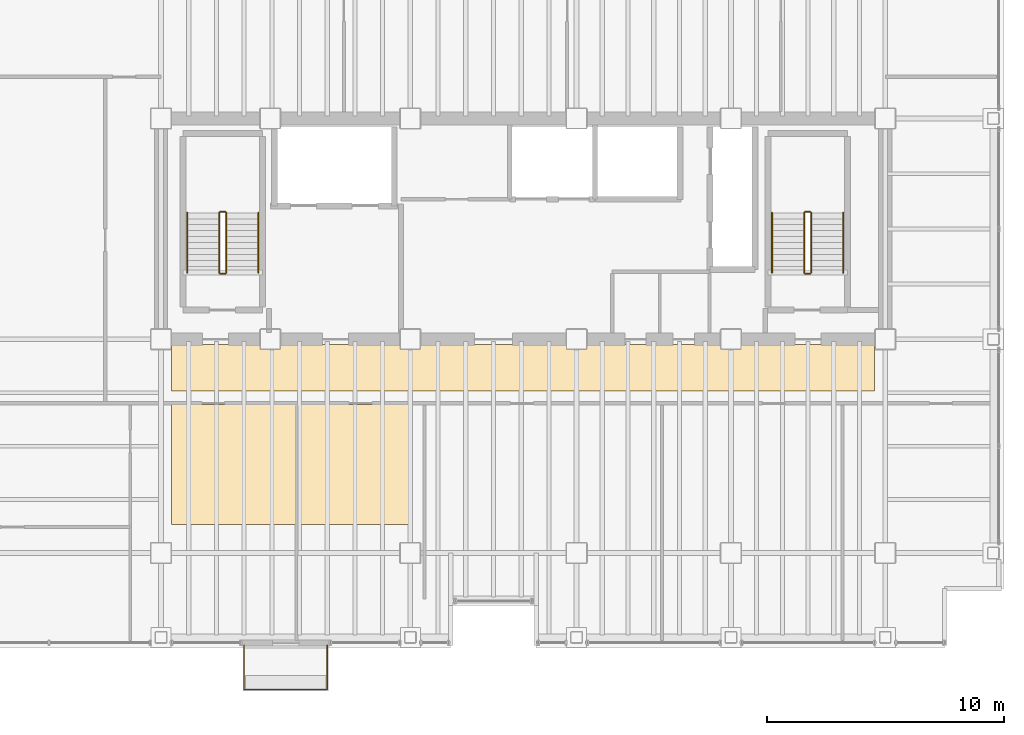
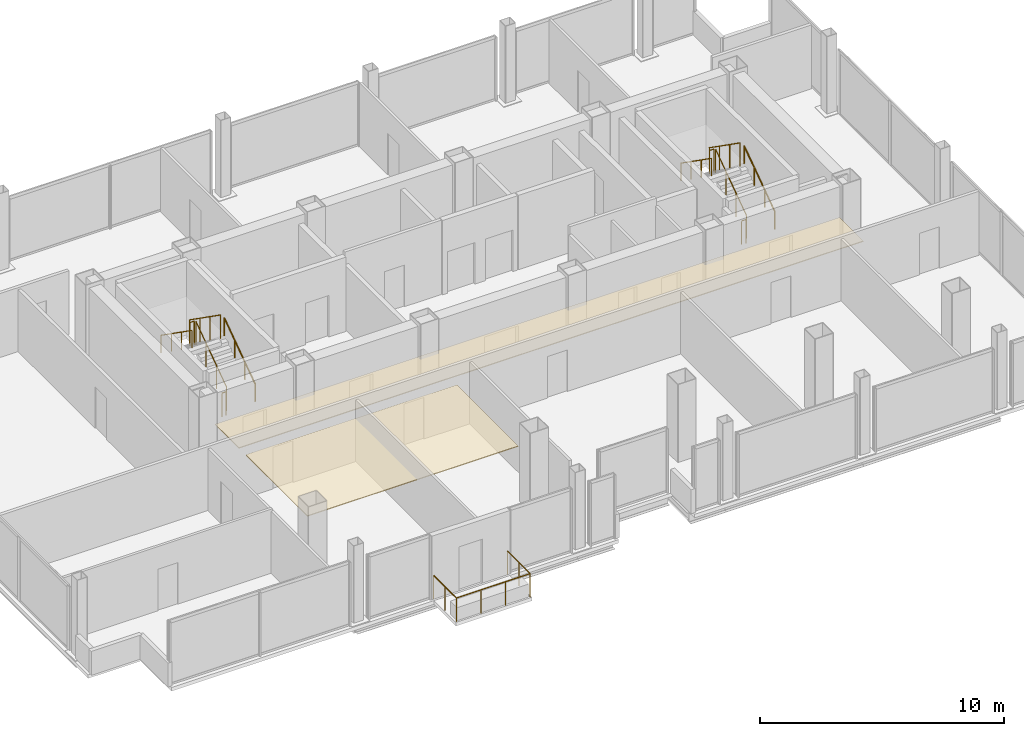
# One storey, part 18 of 18: 13 railings, 2 coverings.
"""IFC4 building model written with IfcOpenShell, lengths in metres."""

from ifc_helpers import new_model, si_unit, direction, frame, origin, origin_2d, place, context, subcontext, project, spatial, polyline, circle, outline, extrude, material, layer, layer_set, type_object, element, save


model = new_model("IFC4")

# Units and contexts
model_context = context("Model", 3, precision=1e-05, world=origin(), true_north=direction((0.0, 1.0)))
body_context = subcontext(model_context, "Body", "Model", "MODEL_VIEW")
ifc_project = project(units=[si_unit("LENGTHUNIT", "METRE"), si_unit("AREAUNIT", "SQUARE_METRE"), si_unit("VOLUMEUNIT", "CUBIC_METRE"), si_unit("PLANEANGLEUNIT", "RADIAN"), si_unit("MASSUNIT", "GRAM", prefix="KILO")], contexts=[model_context])

# Site, building, storey
site_placement = place(None, origin())
site = spatial("IfcSite", under=ifc_project, at=site_placement, CompositionType="ELEMENT")
building_placement = place(site_placement, origin())
building = spatial("IfcBuilding", under=site, at=building_placement, Name="Noeulbin Bourse Tower", CompositionType="ELEMENT")
storey_placement = place(building_placement, frame((0.0, 0.0, 161.699951171875)))
storey = spatial("IfcBuildingStorey", under=building, at=storey_placement, Name="L40", CompositionType="ELEMENT", Elevation=161.699951171875)

# Coverings
ifc_material_1 = material(Name="Perforated Mineral-Fibre Acoustic Tile")
ifc_layer_1 = layer(ifc_material_1, 0.0400390625)
ifc_layer_set_1 = layer_set([ifc_layer_1], Name="Perforated Mineral-Fibre Acoustic Tile")
covering_type = type_object("IfcCoveringType", Name="COV-CEIL-ACT", PredefinedType="CEILING", material=ifc_layer_set_1)
covering_1_placement = place(storey_placement, frame((0.0, 0.0, 2.110107421875)))
element("IfcCovering", 1, at=covering_1_placement, inside=storey, type_object=covering_type, Name="Corridor Suspended Ceiling L40", PredefinedType="CEILING", context=body_context, shape_type="SweptSolid", body=[
    extrude(outline(polyline([(13.949951171875, 26.820068359375), (43.550048828125, 26.820068359375), (43.550048828125, 28.780029296875), (13.949951171875, 28.780029296875), (13.949951171875, 26.820068359375)])), origin(), (0.0, 0.0, 1.0), 0.0400390625),
])
covering_2_placement = place(storey_placement, frame((0.0, 0.0, 2.110107421875)))
element("IfcCovering", 2, at=covering_2_placement, inside=storey, type_object=covering_type, Name="Trading Suite Acoustic Ceiling L40", PredefinedType="CEILING", context=body_context, shape_type="SweptSolid", body=[
    extrude(outline(polyline([(13.949951171875, 21.199951171875), (23.949951171875, 21.199951171875), (23.949951171875, 26.25), (13.949951171875, 26.25), (13.949951171875, 21.199951171875)])), origin(), (0.0, 0.0, 1.0), 0.0400390625),
])

# Railings
ifc_material_2 = material(Name="Laminated SentryGlas and Stainless Steel 316", Category="steel")
ifc_layer_2 = layer(ifc_material_2, 0.06005859375)
ifc_layer_set_2 = layer_set([ifc_layer_2], Name="Laminated SentryGlas and Stainless Steel 316")
railing_type_1 = type_object("IfcRailingType", Name="RLG-BAL-1200", PredefinedType="BALUSTRADE", material=ifc_layer_set_2)
railing_1_placement = place(storey_placement, frame((17.0, 16.1201171875, 0.0)))
element("IfcRailing", 3, at=railing_1_placement, inside=storey, type_object=railing_type_1, Name="Tree-Balcony Glazed Balustrade L40", PredefinedType="BALUSTRADE", context=body_context, shape_type="SweptSolid", body=[
    extrude(circle(Radius=0.02392578125, at=origin_2d()), frame((0.0, 0.0, 1.17578125), z_axis=(0.0, -1.0, 0.0), x_axis=(1.0, 0.0, 0.0)), (0.0, 0.0, 1.0), 1.8701171875),
    extrude(circle(Radius=0.02392578125, at=origin_2d()), frame((0.0, -1.8701171875, 1.17578125), z_axis=(1.0, 0.0, 0.0), x_axis=(0.0, 1.0, 0.0)), (0.0, 0.0, 1.0), 3.5),
    extrude(circle(Radius=0.02392578125, at=origin_2d()), frame((3.5, -1.8701171875, 1.17578125), z_axis=(0.0, 1.0, 0.0), x_axis=(-1.0, 0.0, 0.0)), (0.0, 0.0, 1.0), 1.8701171875),
    extrude(circle(Radius=0.02099609375, at=origin_2d()), origin(), (0.0, 0.0, 1.0), 1.15185546875),
    extrude(circle(Radius=0.02099609375, at=origin_2d()), frame((0.0, -0.93505859375, 0.0)), (0.0, 0.0, 1.0), 1.15185546875),
    extrude(circle(Radius=0.02099609375, at=origin_2d()), frame((0.0, -1.8701171875, 0.0)), (0.0, 0.0, 1.0), 1.15185546875),
    extrude(circle(Radius=0.02099609375, at=origin_2d()), frame((1.166748046875, -1.8701171875, 0.0)), (0.0, 0.0, 1.0), 1.15185546875),
    extrude(circle(Radius=0.02099609375, at=origin_2d()), frame((2.333251953125, -1.8701171875, 0.0)), (0.0, 0.0, 1.0), 1.15185546875),
    extrude(circle(Radius=0.02099609375, at=origin_2d()), frame((3.5, -1.8701171875, 0.0)), (0.0, 0.0, 1.0), 1.15185546875),
    extrude(circle(Radius=0.02099609375, at=origin_2d()), frame((3.5, -0.93505859375, 0.0)), (0.0, 0.0, 1.0), 1.15185546875),
    extrude(circle(Radius=0.02099609375, at=origin_2d()), frame((3.5, 0.0, 0.0)), (0.0, 0.0, 1.0), 1.15185546875),
])
ifc_material_3 = material(Name="Painted Tubular Steel S355", Category="steel")
ifc_layer_3 = layer(ifc_material_3, 0.048095703125)
ifc_layer_set_3 = layer_set([ifc_layer_3], Name="Painted Tubular Steel S355")
railing_type_2 = type_object("IfcRailingType", Name="RLG-STR-GRD", PredefinedType="GUARDRAIL", material=ifc_layer_set_3)
railing_2_placement = place(storey_placement, frame((16.25, 31.81005859375, 0.17724609375)))
element("IfcRailing", 4, at=railing_2_placement, inside=storey, type_object=railing_type_2, Name="L40 ST-1 stair guard 1", PredefinedType="GUARDRAIL", context=body_context, shape_type="SweptSolid", body=[
    extrude(circle(Radius=0.02392578125, at=origin_2d()), frame((0.0, 0.0, 1.17578125), z_axis=(0.0, 0.817904474719, 0.575354039036), x_axis=(-1.0, 0.0, 0.0)), (0.0, 0.0, 1.0), 3.0810546875),
    extrude(circle(Radius=0.02099609375, at=origin_2d()), origin(), (0.0, 0.0, 1.0), 1.15185546875),
    extrude(circle(Radius=0.02099609375, at=origin_2d()), frame((0.0, 0.840087890625, 0.5908203125)), (0.0, 0.0, 1.0), 1.15185546875),
    extrude(circle(Radius=0.02099609375, at=origin_2d()), frame((0.0, 1.679931640625, 1.181884765625)), (0.0, 0.0, 1.0), 1.15185546875),
    extrude(circle(Radius=0.02099609375, at=origin_2d()), frame((0.0, 2.52001953125, 1.772705078125)), (0.0, 0.0, 1.0), 1.15185546875),
])
railing_3_placement = place(storey_placement, frame((16.199951171875, 34.3798828125, 1.949951171875)))
element("IfcRailing", 5, at=railing_3_placement, inside=storey, type_object=railing_type_2, Name="L40 ST-1 stair guard 2", PredefinedType="GUARDRAIL", context=body_context, shape_type="SweptSolid", body=[
    extrude(circle(Radius=0.02392578125, at=origin_2d()), frame((0.0, 0.0, 1.17578125), z_axis=(-1.0, 0.0, 0.0), x_axis=(0.0, -1.0, 0.0)), (0.0, 0.0, 1.0), 0.199951171875),
    extrude(circle(Radius=0.02099609375, at=origin_2d()), origin(), (0.0, 0.0, 1.0), 1.15185546875),
    extrude(circle(Radius=0.02099609375, at=origin_2d()), frame((-0.199951171875, 0.0, 0.0)), (0.0, 0.0, 1.0), 1.15185546875),
])
railing_4_placement = place(storey_placement, frame((15.949951171875, 34.330078125, 2.12744140625)))
element("IfcRailing", 6, at=railing_4_placement, inside=storey, type_object=railing_type_2, Name="L40 ST-1 stair guard 3", PredefinedType="GUARDRAIL", context=body_context, shape_type="SweptSolid", body=[
    extrude(circle(Radius=0.02392578125, at=origin_2d()), frame((0.0, 0.0, 1.17578125), z_axis=(0.0, -0.817904474719, 0.575354039036), x_axis=(1.0, 0.0, 0.0)), (0.0, 0.0, 1.0), 3.0810546875),
    extrude(circle(Radius=0.02099609375, at=origin_2d()), origin(), (0.0, 0.0, 1.0), 1.15185546875),
    extrude(circle(Radius=0.02099609375, at=origin_2d()), frame((0.0, -0.840087890625, 0.5908203125)), (0.0, 0.0, 1.0), 1.15185546875),
    extrude(circle(Radius=0.02099609375, at=origin_2d()), frame((0.0, -1.679931640625, 1.181884765625)), (0.0, 0.0, 1.0), 1.15185546875),
    extrude(circle(Radius=0.02099609375, at=origin_2d()), frame((0.0, -2.52001953125, 1.772705078125)), (0.0, 0.0, 1.0), 1.15185546875),
])
railing_5_placement = place(storey_placement, frame((16.199951171875, 31.760009765625, 0.0)))
element("IfcRailing", 7, at=railing_5_placement, inside=storey, type_object=railing_type_2, Name="L40 ST-1 stair guard 4", PredefinedType="GUARDRAIL", context=body_context, shape_type="SweptSolid", body=[
    extrude(circle(Radius=0.02392578125, at=origin_2d()), frame((0.0, 0.0, 1.17578125), z_axis=(-1.0, 0.0, 0.0), x_axis=(0.0, -1.0, 0.0)), (0.0, 0.0, 1.0), 0.199951171875),
    extrude(circle(Radius=0.02099609375, at=origin_2d()), origin(), (0.0, 0.0, 1.0), 1.15185546875),
    extrude(circle(Radius=0.02099609375, at=origin_2d()), frame((-0.199951171875, 0.0, 0.0)), (0.0, 0.0, 1.0), 1.15185546875),
])
railing_6_placement = place(storey_placement, frame((40.8798828125, 31.81005859375, 0.17724609375)))
element("IfcRailing", 8, at=railing_6_placement, inside=storey, type_object=railing_type_2, Name="L40 ST-2 stair guard 1", PredefinedType="GUARDRAIL", context=body_context, shape_type="SweptSolid", body=[
    extrude(circle(Radius=0.02392578125, at=origin_2d()), frame((0.0, 0.0, 1.17578125), z_axis=(0.0, 0.817904474719, 0.575354039036), x_axis=(-1.0, 0.0, 0.0)), (0.0, 0.0, 1.0), 3.0810546875),
    extrude(circle(Radius=0.02099609375, at=origin_2d()), origin(), (0.0, 0.0, 1.0), 1.15185546875),
    extrude(circle(Radius=0.02099609375, at=origin_2d()), frame((0.0, 0.840087890625, 0.5908203125)), (0.0, 0.0, 1.0), 1.15185546875),
    extrude(circle(Radius=0.02099609375, at=origin_2d()), frame((0.0, 1.679931640625, 1.181884765625)), (0.0, 0.0, 1.0), 1.15185546875),
    extrude(circle(Radius=0.02099609375, at=origin_2d()), frame((0.0, 2.52001953125, 1.772705078125)), (0.0, 0.0, 1.0), 1.15185546875),
])
railing_7_placement = place(storey_placement, frame((40.830078125, 34.3798828125, 1.949951171875)))
element("IfcRailing", 9, at=railing_7_placement, inside=storey, type_object=railing_type_2, Name="L40 ST-2 stair guard 2", PredefinedType="GUARDRAIL", context=body_context, shape_type="SweptSolid", body=[
    extrude(circle(Radius=0.02392578125, at=origin_2d()), frame((0.0, 0.0, 1.17578125), z_axis=(-1.0, 0.0, 0.0), x_axis=(0.0, -1.0, 0.0)), (0.0, 0.0, 1.0), 0.2001953125),
    extrude(circle(Radius=0.02099609375, at=origin_2d()), origin(), (0.0, 0.0, 1.0), 1.15185546875),
    extrude(circle(Radius=0.02099609375, at=origin_2d()), frame((-0.2001953125, 0.0, 0.0)), (0.0, 0.0, 1.0), 1.15185546875),
])
railing_8_placement = place(storey_placement, frame((40.580078125, 34.330078125, 2.12744140625)))
element("IfcRailing", 10, at=railing_8_placement, inside=storey, type_object=railing_type_2, Name="L40 ST-2 stair guard 3", PredefinedType="GUARDRAIL", context=body_context, shape_type="SweptSolid", body=[
    extrude(circle(Radius=0.02392578125, at=origin_2d()), frame((0.0, 0.0, 1.17578125), z_axis=(0.0, -0.817904474719, 0.575354039036), x_axis=(1.0, 0.0, 0.0)), (0.0, 0.0, 1.0), 3.0810546875),
    extrude(circle(Radius=0.02099609375, at=origin_2d()), origin(), (0.0, 0.0, 1.0), 1.15185546875),
    extrude(circle(Radius=0.02099609375, at=origin_2d()), frame((0.0, -0.840087890625, 0.5908203125)), (0.0, 0.0, 1.0), 1.15185546875),
    extrude(circle(Radius=0.02099609375, at=origin_2d()), frame((0.0, -1.679931640625, 1.181884765625)), (0.0, 0.0, 1.0), 1.15185546875),
    extrude(circle(Radius=0.02099609375, at=origin_2d()), frame((0.0, -2.52001953125, 1.772705078125)), (0.0, 0.0, 1.0), 1.15185546875),
])
railing_9_placement = place(storey_placement, frame((40.830078125, 31.760009765625, 0.0)))
element("IfcRailing", 11, at=railing_9_placement, inside=storey, type_object=railing_type_2, Name="L40 ST-2 stair guard 4", PredefinedType="GUARDRAIL", context=body_context, shape_type="SweptSolid", body=[
    extrude(circle(Radius=0.02392578125, at=origin_2d()), frame((0.0, 0.0, 1.17578125), z_axis=(-1.0, 0.0, 0.0), x_axis=(0.0, -1.0, 0.0)), (0.0, 0.0, 1.0), 0.2001953125),
    extrude(circle(Radius=0.02099609375, at=origin_2d()), origin(), (0.0, 0.0, 1.0), 1.15185546875),
    extrude(circle(Radius=0.02099609375, at=origin_2d()), frame((-0.2001953125, 0.0, 0.0)), (0.0, 0.0, 1.0), 1.15185546875),
])
ifc_material_4 = material(Name="Brushed Stainless Steel 316", Category="steel")
ifc_layer_4 = layer(ifc_material_4, 0.048095703125)
ifc_layer_set_4 = layer_set([ifc_layer_4], Name="Brushed Stainless Steel 316")
railing_type_3 = type_object("IfcRailingType", Name="RLG-STR-HND", PredefinedType="HANDRAIL", material=ifc_layer_set_4)
railing_10_placement = place(storey_placement, frame((17.60009765625, 31.81005859375, 0.17724609375)))
element("IfcRailing", 12, at=railing_10_placement, inside=storey, type_object=railing_type_3, Name="L40 ST-1 stair handrail 1", PredefinedType="HANDRAIL", context=body_context, shape_type="SweptSolid", body=[
    extrude(circle(Radius=0.02392578125, at=origin_2d()), frame((0.0, 0.0, 0.8759765625), z_axis=(0.0, 0.817904474719, 0.575354039036), x_axis=(-1.0, 0.0, 0.0)), (0.0, 0.0, 1.0), 3.0810546875),
    extrude(circle(Radius=0.02099609375, at=origin_2d()), origin(), (0.0, 0.0, 1.0), 0.851806640625),
    extrude(circle(Radius=0.02099609375, at=origin_2d()), frame((0.0, 0.840087890625, 0.5908203125)), (0.0, 0.0, 1.0), 0.851806640625),
    extrude(circle(Radius=0.02099609375, at=origin_2d()), frame((0.0, 1.679931640625, 1.181884765625)), (0.0, 0.0, 1.0), 0.851806640625),
    extrude(circle(Radius=0.02099609375, at=origin_2d()), frame((0.0, 2.52001953125, 1.772705078125)), (0.0, 0.0, 1.0), 0.851806640625),
])
railing_11_placement = place(storey_placement, frame((14.60009765625, 34.330078125, 2.12744140625)))
element("IfcRailing", 13, at=railing_11_placement, inside=storey, type_object=railing_type_3, Name="L40 ST-1 stair handrail 2", PredefinedType="HANDRAIL", context=body_context, shape_type="SweptSolid", body=[
    extrude(circle(Radius=0.02392578125, at=origin_2d()), frame((0.0, 0.0, 0.8759765625), z_axis=(0.0, -0.817904474719, 0.575354039036), x_axis=(1.0, 0.0, 0.0)), (0.0, 0.0, 1.0), 3.0810546875),
    extrude(circle(Radius=0.02099609375, at=origin_2d()), origin(), (0.0, 0.0, 1.0), 0.851806640625),
    extrude(circle(Radius=0.02099609375, at=origin_2d()), frame((0.0, -0.840087890625, 0.5908203125)), (0.0, 0.0, 1.0), 0.851806640625),
    extrude(circle(Radius=0.02099609375, at=origin_2d()), frame((0.0, -1.679931640625, 1.181884765625)), (0.0, 0.0, 1.0), 0.851806640625),
    extrude(circle(Radius=0.02099609375, at=origin_2d()), frame((0.0, -2.52001953125, 1.772705078125)), (0.0, 0.0, 1.0), 0.851806640625),
])
railing_12_placement = place(storey_placement, frame((42.22998046875, 31.81005859375, 0.17724609375)))
element("IfcRailing", 14, at=railing_12_placement, inside=storey, type_object=railing_type_3, Name="L40 ST-2 stair handrail 1", PredefinedType="HANDRAIL", context=body_context, shape_type="SweptSolid", body=[
    extrude(circle(Radius=0.02392578125, at=origin_2d()), frame((0.0, 0.0, 0.8759765625), z_axis=(0.0, 0.817904474719, 0.575354039036), x_axis=(-1.0, 0.0, 0.0)), (0.0, 0.0, 1.0), 3.0810546875),
    extrude(circle(Radius=0.02099609375, at=origin_2d()), origin(), (0.0, 0.0, 1.0), 0.851806640625),
    extrude(circle(Radius=0.02099609375, at=origin_2d()), frame((0.0, 0.840087890625, 0.5908203125)), (0.0, 0.0, 1.0), 0.851806640625),
    extrude(circle(Radius=0.02099609375, at=origin_2d()), frame((0.0, 1.679931640625, 1.181884765625)), (0.0, 0.0, 1.0), 0.851806640625),
    extrude(circle(Radius=0.02099609375, at=origin_2d()), frame((0.0, 2.52001953125, 1.772705078125)), (0.0, 0.0, 1.0), 0.851806640625),
])
railing_13_placement = place(storey_placement, frame((39.22998046875, 34.330078125, 2.12744140625)))
element("IfcRailing", 15, at=railing_13_placement, inside=storey, type_object=railing_type_3, Name="L40 ST-2 stair handrail 2", PredefinedType="HANDRAIL", context=body_context, shape_type="SweptSolid", body=[
    extrude(circle(Radius=0.02392578125, at=origin_2d()), frame((0.0, 0.0, 0.8759765625), z_axis=(0.0, -0.817904474719, 0.575354039036), x_axis=(1.0, 0.0, 0.0)), (0.0, 0.0, 1.0), 3.0810546875),
    extrude(circle(Radius=0.02099609375, at=origin_2d()), origin(), (0.0, 0.0, 1.0), 0.851806640625),
    extrude(circle(Radius=0.02099609375, at=origin_2d()), frame((0.0, -0.840087890625, 0.5908203125)), (0.0, 0.0, 1.0), 0.851806640625),
    extrude(circle(Radius=0.02099609375, at=origin_2d()), frame((0.0, -1.679931640625, 1.181884765625)), (0.0, 0.0, 1.0), 0.851806640625),
    extrude(circle(Radius=0.02099609375, at=origin_2d()), frame((0.0, -2.52001953125, 1.772705078125)), (0.0, 0.0, 1.0), 0.851806640625),
])

save(model, "model.ifc")
